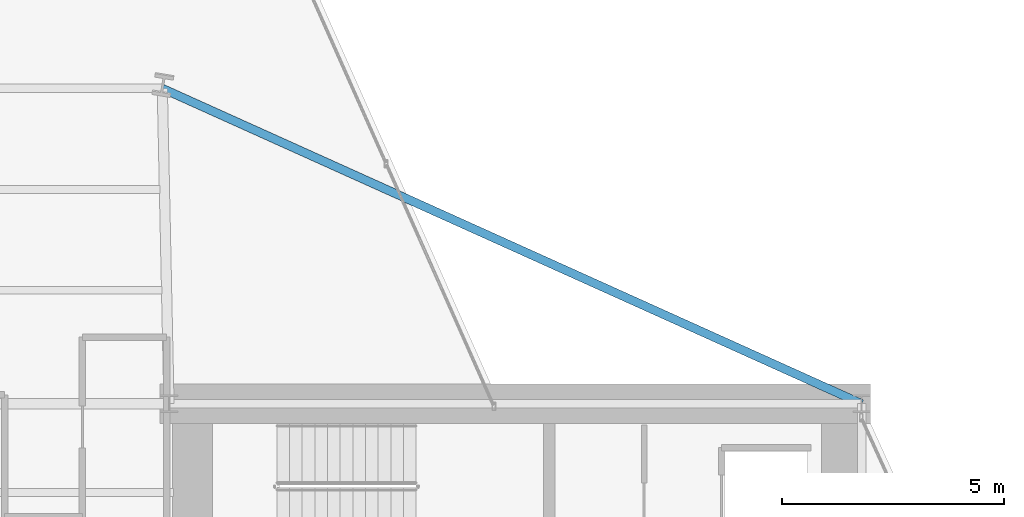
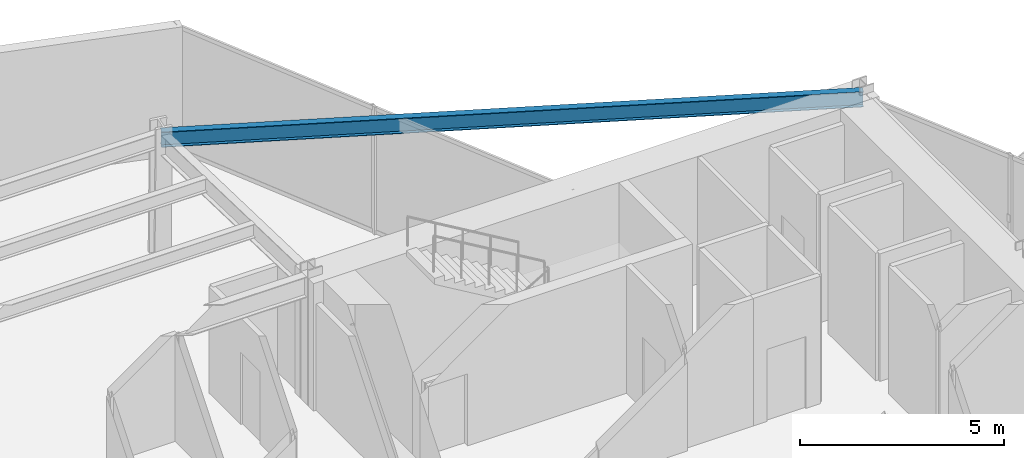
# One storey, part 14 of 24: 1 beam.
"""IFC4 building model written with IfcOpenShell, lengths in metres."""

from ifc_helpers import new_model, si_unit, direction, frame, origin, origin_2d, place, context, subcontext, project, spatial, i_section, extrude, material, material_profile, profile_set, type_object, element, save


model = new_model("IFC4")

# Units and contexts
model_context = context("Model", 3, precision=1e-05, world=origin(), true_north=direction((0.0, 1.0)))
body_context = subcontext(model_context, "Body", "Model", "MODEL_VIEW")
ifc_project = project(units=[si_unit("LENGTHUNIT", "METRE"), si_unit("AREAUNIT", "SQUARE_METRE"), si_unit("VOLUMEUNIT", "CUBIC_METRE"), si_unit("PLANEANGLEUNIT", "RADIAN"), si_unit("MASSUNIT", "GRAM", prefix="KILO")], contexts=[model_context])

# Site, building, storey
site_placement = place(None, origin())
site = spatial("IfcSite", under=ifc_project, at=site_placement, CompositionType="ELEMENT")
building_placement = place(site_placement, origin())
building = spatial("IfcBuilding", under=site, at=building_placement, Name="Veymaron Broadcast Tower", CompositionType="ELEMENT")
storey_placement = place(building_placement, frame((0.0, 0.0, 98.550048828125)))
storey = spatial("IfcBuildingStorey", under=building, at=storey_placement, Name="L22", CompositionType="ELEMENT", Elevation=98.550048828125)

# Beam
ifc_material = material(Name="Structural steel ASTM A992 Gr 50", Category="steel")
ifc_material_profile = material_profile(ifc_material, i_section(OverallWidth=0.19091796875, OverallDepth=0.4599609375, WebThickness=0.010009765625, FlangeThickness=0.01611328125, at=origin_2d()), Name="W460X82")
ifc_profile_set = profile_set([ifc_material_profile], Name="Structural steel ASTM A992 Gr 50")
beam_type = type_object("IfcBeamType", Name="BM-SP1", PredefinedType="SPANDREL", material=ifc_profile_set)
beam_placement = place(storey_placement, frame((54.60009765625, 32.0, 3.579833984375), z_axis=(-0.911648428398, 0.41097097586, 0.0), x_axis=(-0.41097097586, -0.911648428398, 0.0)))
element("IfcBeam", 1, at=beam_placement, inside=storey, type_object=beam_type, Name="L22 primary structural floor girder", PredefinedType="SPANDREL", context=body_context, shape_type="SweptSolid", body=[
    extrude(i_section(OverallWidth=0.19091796875, OverallDepth=0.4599609375, WebThickness=0.010009765625, FlangeThickness=0.01611328125, at=origin_2d()), origin(), (0.0, 0.0, 1.0), 17.2763671875),
])

save(model, "model.ifc")
